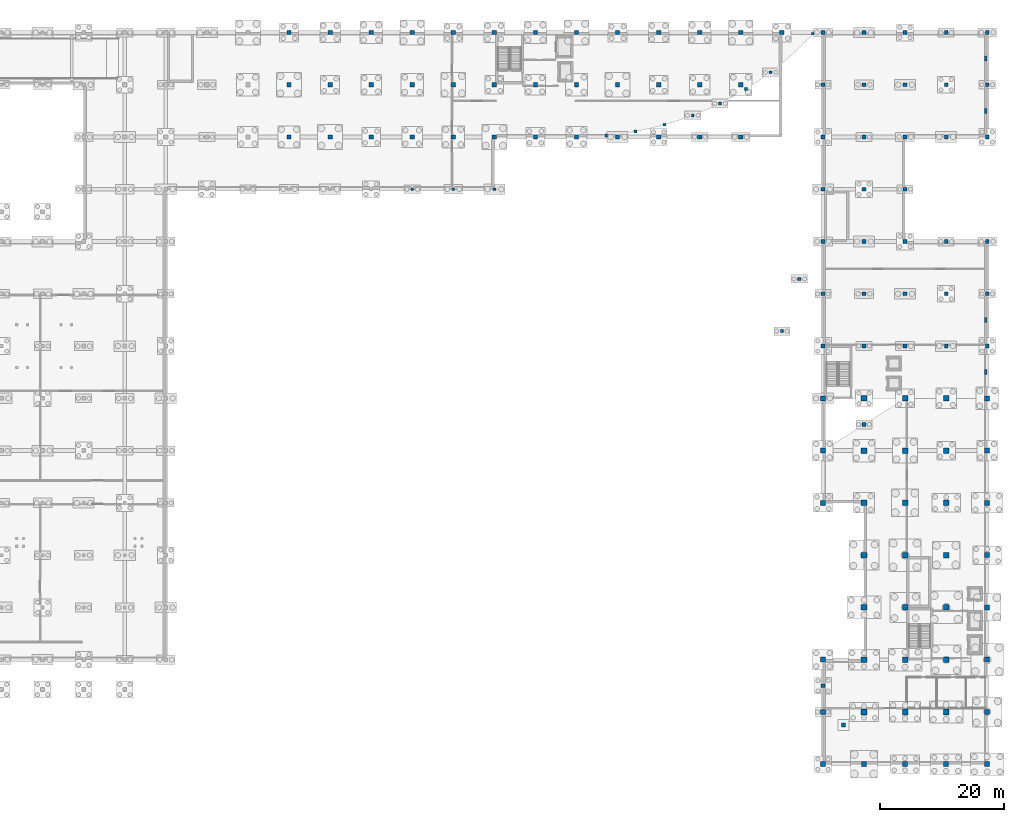
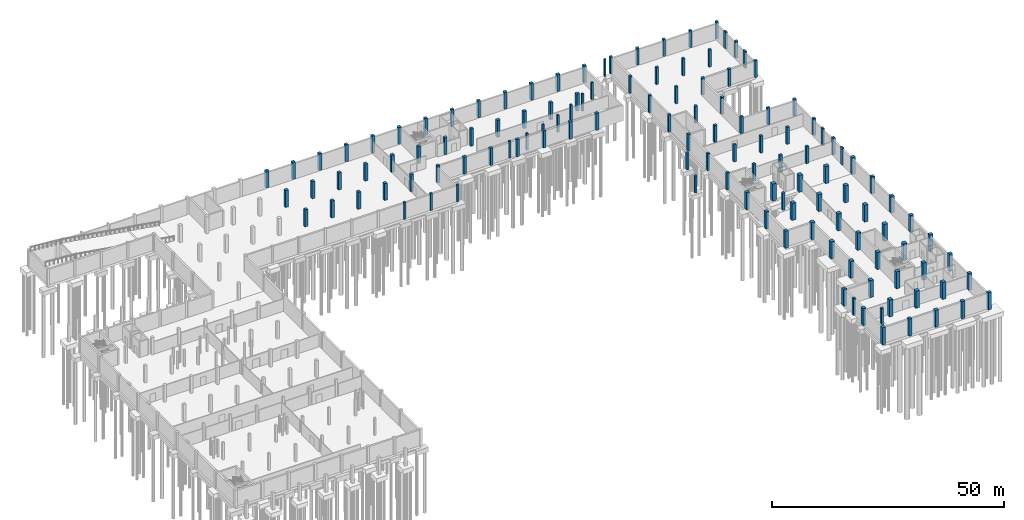
# One storey, part 11 of 25: 128 columns.
"""IFC4 building model written with IfcOpenShell, lengths in metres."""

import ifcopenshell
import ifcopenshell.guid

model = None  # the IFC model being written
_history = None  # IfcOwnerHistory: only IFC2X3 demands one
_inside = {}  # id of a spatial element -> (the spatial element, [elements in it])
_under = {}  # id of a project, library or spatial element -> (it, [spatial elements below it])
_declared = {}  # id of a project -> (the project, [libraries it declares])
_typed = {}  # id of a type object -> (the type object, [elements of that type])
_made_of = {}  # id of a material, layer set ... -> (it, [elements and type objects made of it])


def new_model(schema):
    """Start an empty IFC model of exactly this schema.

    Asked for "IFC4X3", IfcOpenShell would pick the latest addendum, in which some entities
    have other attributes; the version numbers below select the first issue.
    IFC2X3 requires an IfcOwnerHistory on every rooted entity: one is made here for all.
    """
    global model, _history
    if schema == "IFC4X3":
        model = ifcopenshell.file(schema_version=(4, 3, 0, 0))
    else:
        model = ifcopenshell.file(schema=schema)
    _inside.clear()
    _under.clear()
    _declared.clear()
    _typed.clear()
    _made_of.clear()
    _history = None
    if model.schema == "IFC2X3":
        org = make("IfcOrganization", Name="unknown")
        user = make(
            "IfcPersonAndOrganization",
            ThePerson=make("IfcPerson", FamilyName="unknown"),
            TheOrganization=org,
        )
        app = make(
            "IfcApplication",
            ApplicationDeveloper=org,
            Version="unknown",
            ApplicationFullName="unknown",
            ApplicationIdentifier="unknown",
        )
        _history = make(
            "IfcOwnerHistory",
            OwningUser=user,
            OwningApplication=app,
            ChangeAction="ADDED",
            CreationDate=0,
        )
    return model


def make(cls, **values):
    """One entity of the class cls with the attributes given. An attribute that is None is left unset."""
    return model.create_entity(
        cls, **{name: value for name, value in values.items() if value is not None}
    )


def rooted(cls, **values):
    """An entity with a GlobalId (a new one), such as an element, a storey or a relation."""
    return make(cls, GlobalId=ifcopenshell.guid.new(), OwnerHistory=_history, **values)


def si_unit(unit_type, name, prefix=None):
    """IfcSIUnit, for example si_unit("LENGTHUNIT", "METRE", prefix="MILLI")."""
    return make("IfcSIUnit", UnitType=unit_type, Prefix=prefix, Name=name)


def assignment(units):
    """IfcUnitAssignment: the units of a project."""
    return None if units is None else make("IfcUnitAssignment", Units=units)


def point(xyz):
    """IfcCartesianPoint."""
    return None if xyz is None else make("IfcCartesianPoint", Coordinates=xyz)


def direction(xyz):
    """IfcDirection."""
    return None if xyz is None else make("IfcDirection", DirectionRatios=xyz)


def frame(location, z_axis=None, x_axis=None):
    """IfcAxis2Placement3D, a coordinate frame: its origin and axes. An axis left out is left unset."""
    return make(
        "IfcAxis2Placement3D",
        Location=point(location),
        Axis=direction(z_axis),
        RefDirection=direction(x_axis),
    )


def frame_2d(location, x_axis=None):
    """IfcAxis2Placement2D, a coordinate frame in the plane: its origin and x axis."""
    return make(
        "IfcAxis2Placement2D", Location=point(location), RefDirection=direction(x_axis)
    )


def origin():
    """The frame at (0, 0, 0) with its axes left unset."""
    return frame((0.0, 0.0, 0.0))


def origin_2d():
    """The frame at (0, 0) in the plane with its x axis left unset."""
    return frame_2d((0.0, 0.0))


def place(relative_to, where):
    """IfcLocalPlacement: puts the frame where relative to a parent placement (None: the world)."""
    return make(
        "IfcLocalPlacement", PlacementRelTo=relative_to, RelativePlacement=where
    )


def context(
    kind, dimensions, precision=None, world=None, true_north=None, identifier=None
):
    """IfcGeometricRepresentationContext, for example the 3D "Model" context."""
    return make(
        "IfcGeometricRepresentationContext",
        ContextIdentifier=identifier,
        ContextType=kind,
        CoordinateSpaceDimension=dimensions,
        Precision=precision,
        WorldCoordinateSystem=world,
        TrueNorth=true_north,
    )


def subcontext(parent, identifier, kind, view, scale=None):
    """IfcGeometricRepresentationSubContext, for example "Body" below "Model"."""
    return make(
        "IfcGeometricRepresentationSubContext",
        ContextIdentifier=identifier,
        ContextType=kind,
        ParentContext=parent,
        TargetScale=scale,
        TargetView=view,
    )


def project(units=None, contexts=None):
    """IfcProject with its units and contexts."""
    return rooted(
        "IfcProject",
        Name="project",
        RepresentationContexts=contexts,
        UnitsInContext=assignment(units),
    )


def spatial(cls, under=None, at=None, **own):
    """A site, building, storey or space (cls), placed at a placement, below another one or the project."""
    s = rooted(cls, ObjectPlacement=at, **own)
    if under is not None:
        _under.setdefault(under.id(), (under, []))[1].append(s)
    return s


def profile(cls, at=None, kind="AREA", **sizes):
    """A parametric profile (cls). Its sizes go by their IFC names, for example OverallWidth=200.0."""
    return make(cls, ProfileType=kind, Position=at, **sizes)


def rectangle(**sizes):
    """IfcRectangleProfileDef."""
    return profile("IfcRectangleProfileDef", **sizes)


def extrude(swept, where, along, depth):
    """IfcExtrudedAreaSolid: the profile swept, set in the frame where, extruded along a direction by depth."""
    return make(
        "IfcExtrudedAreaSolid",
        SweptArea=swept,
        Position=where,
        ExtrudedDirection=direction(along),
        Depth=depth,
    )


def shape(context_of_items, identifier, shape_type, items):
    """IfcShapeRepresentation: the items that make up one representation, for example the "Body"."""
    return make(
        "IfcShapeRepresentation",
        ContextOfItems=context_of_items,
        RepresentationIdentifier=identifier,
        RepresentationType=shape_type,
        Items=items,
    )


def material(Name=None, Category=None):
    """IfcMaterial."""
    return make("IfcMaterial", Name=Name, Category=Category)


def material_profile(
    of_material, cross_section, Name=None, Category=None, Priority=None
):
    """IfcMaterialProfile: a cross section and its material."""
    return make(
        "IfcMaterialProfile",
        Name=Name,
        Material=of_material,
        Profile=cross_section,
        Priority=Priority,
        Category=Category,
    )


def profile_set(profiles, Name=None, composite=None):
    """IfcMaterialProfileSet."""
    return make(
        "IfcMaterialProfileSet",
        Name=Name,
        MaterialProfiles=profiles,
        CompositeProfile=composite,
    )


def made_of(thing, what):
    """Note that an element or type object is made of a material, layer set ...; save() writes the relation."""
    if what is not None:
        _made_of.setdefault(what.id(), (what, []))[1].append(thing)
    return thing


def type_object(cls, material=None, **own):
    """A type object (cls), such as IfcWallType, which elements share."""
    return made_of(rooted(cls, **own), material)


def element(
    cls,
    number,
    at=None,
    inside=None,
    cuts=None,
    type_object=None,
    material=None,
    context=None,
    identifier="Body",
    shape_type=None,
    held_by="IfcProductDefinitionShape",
    body=None,
    shapes=None,
    **own,
):
    """One element of the class cls, such as IfcWall. Its Tag is "e" and its number.

    at: its placement. inside: the storey or other place that contains it. cuts: it is an
    opening in that element (IfcRelVoidsElement). A single representation is given by context,
    identifier, shape_type and body (its items); several are given by shapes. held_by: the class
    of the entity that holds the representations. save() writes the other relations.
    """
    e = rooted(cls, Tag="e%d" % number, ObjectPlacement=at, **own)
    if body is not None:
        shapes = [shape(context, identifier, shape_type, body)]
    if shapes is not None:
        e.Representation = make(held_by, Representations=shapes)
    if inside is not None:
        _inside.setdefault(inside.id(), (inside, []))[1].append(e)
    if cuts is not None:
        rooted(
            "IfcRelVoidsElement", RelatingBuildingElement=cuts, RelatedOpeningElement=e
        )
    if type_object is not None:
        _typed.setdefault(type_object.id(), (type_object, []))[1].append(e)
    return made_of(e, material)


def aggregate(whole, parts):
    """IfcRelAggregates: a whole, such as a stair, and the parts it consists of."""
    return rooted("IfcRelAggregates", RelatingObject=whole, RelatedObjects=parts)


def save(model, path):
    """Write the relations noted so far, then the file.

    IfcRelAggregates (storeys below a building ...), IfcRelContainedInSpatialStructure (elements
    in a storey), IfcRelDefinesByType, IfcRelAssociatesMaterial and IfcRelDeclares: one each for
    every whole, place, type object, material and project.
    """
    for whole, parts in _under.values():
        aggregate(whole, parts)
    for where, things in _inside.values():
        rooted(
            "IfcRelContainedInSpatialStructure",
            RelatedElements=things,
            RelatingStructure=where,
        )
    for kind, things in _typed.values():
        rooted("IfcRelDefinesByType", RelatedObjects=things, RelatingType=kind)
    for what, things in _made_of.values():
        rooted("IfcRelAssociatesMaterial", RelatedObjects=things, RelatingMaterial=what)
    for by, libraries in _declared.values():
        rooted("IfcRelDeclares", RelatingContext=by, RelatedDefinitions=libraries)
    model.write(path)


model = new_model("IFC4")

# Units and contexts
model_context = context("Model", 3, precision=1e-05, world=origin(), true_north=direction((0.0, 1.0)))
body_context = subcontext(model_context, "Body", "Model", "MODEL_VIEW")
ifc_project = project(units=[si_unit("LENGTHUNIT", "METRE"), si_unit("AREAUNIT", "SQUARE_METRE"), si_unit("VOLUMEUNIT", "CUBIC_METRE"), si_unit("PLANEANGLEUNIT", "RADIAN"), si_unit("MASSUNIT", "GRAM", prefix="KILO")], contexts=[model_context])

# Site, building, storey
site_placement = place(None, origin())
site = spatial("IfcSite", under=ifc_project, at=site_placement, CompositionType="ELEMENT")
building_placement = place(site_placement, origin())
building = spatial("IfcBuilding", under=site, at=building_placement, Name="Qaldarim Faculty of Natural and Applied Sciences", CompositionType="ELEMENT")
storey_placement = place(building_placement, frame((0.0, 0.0, -4.5)))
storey = spatial("IfcBuildingStorey", under=building, at=storey_placement, Name="B01", CompositionType="ELEMENT", Elevation=-4.5)

# Columns
ifc_material_1 = material(Name="Concrete C40/50", Category="concrete")
ifc_material_profile_1 = material_profile(ifc_material_1, rectangle(XDim=0.449951171875, YDim=0.449951171875, at=origin_2d()), Name="RC-C450x450")
ifc_profile_set_1 = profile_set([ifc_material_profile_1], Name="Concrete C40/50")
column_type_1 = type_object("IfcColumnType", Name="Column-RC450x450", PredefinedType="COLUMN", material=ifc_profile_set_1)
for number, where, z_axis, x_axis, name in (
    (1, (85.800048828125, 92.39990234375, 0.0), (0.0, 0.0, 1.0), (1.0, 0.0, 0.0), "Column X14/Y12 B01"),
    (2, (92.39990234375, 92.39990234375, 0.0), (0.0, 0.0, 1.0), (1.0, 0.0, 0.0), "Column X15/Y12 B01"),
    (3, (99.0, 92.39990234375, 0.0), (0.0, 0.0, 1.0), (1.0, 0.0, 0.0), "Column X16/Y12 B01"),
    (4, (150.14990234375, 117.375, 0.0), (0.0, 0.0, 1.0), (1.0, 0.0, 0.0), "Special structural column V4-NE B01"),
    (5, (116.97509765625, 101.02001953125, 0.0), (0.0, 0.0, 1.0), (1.0, 0.0, 0.0), "Arched portal basement column 02"),
    (6, (121.705078125, 101.675048828125, 0.0), (0.0, 0.0, 1.0), (1.0, 0.0, 0.0), "Arched portal basement column 04"),
    (7, (126.360107421875, 102.764892578125, 0.0), (0.0, 0.0, 1.0), (1.0, 0.0, 0.0), "Arched portal basement column 06"),
    (8, (130.889892578125, 104.27490234375, 0.0), (0.0, 0.0, 1.0), (1.0, 0.0, 0.0), "Arched portal basement column 08"),
    (9, (135.264892578125, 106.195068359375, 0.0), (0.0, 0.0, 1.0), (1.0, 0.0, 0.0), "Arched portal basement column 10"),
    (10, (139.445068359375, 108.510009765625, 0.0), (0.0, 0.0, 1.0), (1.0, 0.0, 0.0), "Arched portal basement column 12"),
    (11, (143.39501953125, 111.195068359375, 0.0), (0.0, 0.0, 1.0), (1.0, 0.0, 0.0), "Arched portal basement column 14"),
):
    element("IfcColumn", number, at=place(storey_placement, frame(where, z_axis=z_axis, x_axis=x_axis)), inside=storey, type_object=column_type_1, Name=name, PredefinedType="COLUMN", context=body_context, shape_type="SweptSolid", body=[
        extrude(rectangle(XDim=0.449951171875, YDim=0.449951171875, at=origin_2d()), origin(), (0.0, 0.0, 1.0), 4.5),
    ])
ifc_material_2 = material(Name="Concrete C50/60", Category="concrete")
ifc_material_profile_2 = material_profile(ifc_material_2, rectangle(XDim=0.5, YDim=0.5, at=origin_2d()), Name="RC-C500x500")
ifc_profile_set_2 = profile_set([ifc_material_profile_2], Name="Concrete C50/60")
column_type_2 = type_object("IfcColumnType", Name="Column-RC500x500", PredefinedType="COLUMN", material=ifc_profile_set_2)
for number, where, z_axis, x_axis, name in (
    (12, (145.199951171875, 69.60009765625, 0.0), (0.0, 0.0, 1.0), (1.0, 0.0, 0.0), "Special structural column V3-PRW-S B01"),
    (13, (148.0, 78.0, 0.0), (0.0, 0.0, 1.0), (1.0, 0.0, 0.0), "Special structural column V3-PRW-N B01"),
):
    element("IfcColumn", number, at=place(storey_placement, frame(where, z_axis=z_axis, x_axis=x_axis)), inside=storey, type_object=column_type_2, Name=name, PredefinedType="COLUMN", context=body_context, shape_type="SweptSolid", body=[
        extrude(rectangle(XDim=0.5, YDim=0.5, at=origin_2d()), origin(), (0.0, 0.0, 1.0), 4.5),
    ])
ifc_material_profile_3 = material_profile(ifc_material_2, rectangle(XDim=0.60009765625, YDim=0.60009765625, at=origin_2d()), Name="RC-C600x600")
ifc_profile_set_3 = profile_set([ifc_material_profile_3], Name="Concrete C50/60")
column_type_3 = type_object("IfcColumnType", Name="Column-RC600x600", PredefinedType="COLUMN", material=ifc_profile_set_3)
for number, where, z_axis, x_axis, name in (
    (14, (151.800048828125, 67.199951171875, 0.0), (0.0, 0.0, 1.0), (1.0, 0.0, 0.0), "Column X24/Y09 B01"),
    (15, (151.800048828125, 75.60009765625, 0.0), (0.0, 0.0, 1.0), (1.0, 0.0, 0.0), "Column X24/Y10 B01"),
    (16, (151.800048828125, 84.0, 0.0), (0.0, 0.0, 1.0), (1.0, 0.0, 0.0), "Column X24/Y11 B01"),
    (17, (151.800048828125, 92.39990234375, 0.0), (0.0, 0.0, 1.0), (1.0, 0.0, 0.0), "Column X24/Y12 B01"),
    (18, (151.800048828125, 100.800048828125, 0.0), (0.0, 0.0, 1.0), (1.0, 0.0, 0.0), "Column X24/Y13 B01"),
    (19, (151.800048828125, 109.199951171875, 0.0), (0.0, 0.0, 1.0), (1.0, 0.0, 0.0), "Column X24/Y14 B01"),
    (20, (151.800048828125, 117.60009765625, 0.0), (0.0, 0.0, 1.0), (1.0, 0.0, 0.0), "Column X24/Y15 B01"),
    (21, (158.39990234375, 67.199951171875, 0.0), (0.0, 0.0, 1.0), (1.0, 0.0, 0.0), "Column X25/Y09 B01"),
    (22, (158.39990234375, 75.60009765625, 0.0), (0.0, 0.0, 1.0), (1.0, 0.0, 0.0), "Column X25/Y10 B01"),
    (23, (158.39990234375, 84.0, 0.0), (0.0, 0.0, 1.0), (1.0, 0.0, 0.0), "Column X25/Y11 B01"),
    (24, (158.39990234375, 92.39990234375, 0.0), (0.0, 0.0, 1.0), (1.0, 0.0, 0.0), "Column X25/Y12 B01"),
    (25, (158.39990234375, 100.800048828125, 0.0), (0.0, 0.0, 1.0), (1.0, 0.0, 0.0), "Column X25/Y13 B01"),
    (26, (158.39990234375, 109.199951171875, 0.0), (0.0, 0.0, 1.0), (1.0, 0.0, 0.0), "Column X25/Y14 B01"),
    (27, (158.39990234375, 117.60009765625, 0.0), (0.0, 0.0, 1.0), (1.0, 0.0, 0.0), "Column X25/Y15 B01"),
    (28, (165.0, 67.199951171875, 0.0), (0.0, 0.0, 1.0), (1.0, 0.0, 0.0), "Column X26/Y09 B01"),
    (29, (165.0, 75.60009765625, 0.0), (0.0, 0.0, 1.0), (1.0, 0.0, 0.0), "Column X26/Y10 B01"),
    (30, (165.0, 84.0, 0.0), (0.0, 0.0, 1.0), (1.0, 0.0, 0.0), "Column X26/Y11 B01"),
    (31, (165.0, 92.39990234375, 0.0), (0.0, 0.0, 1.0), (1.0, 0.0, 0.0), "Column X26/Y12 B01"),
    (32, (165.0, 100.800048828125, 0.0), (0.0, 0.0, 1.0), (1.0, 0.0, 0.0), "Column X26/Y13 B01"),
    (33, (165.0, 109.199951171875, 0.0), (0.0, 0.0, 1.0), (1.0, 0.0, 0.0), "Column X26/Y14 B01"),
    (34, (165.0, 117.60009765625, 0.0), (0.0, 0.0, 1.0), (1.0, 0.0, 0.0), "Column X26/Y15 B01"),
    (35, (171.60009765625, 67.199951171875, 0.0), (0.0, 0.0, 1.0), (1.0, 0.0, 0.0), "Column X27/Y09 B01"),
    (36, (171.60009765625, 75.60009765625, 0.0), (0.0, 0.0, 1.0), (1.0, 0.0, 0.0), "Column X27/Y10 B01"),
    (37, (171.60009765625, 84.0, 0.0), (0.0, 0.0, 1.0), (1.0, 0.0, 0.0), "Column X27/Y11 B01"),
    (38, (171.60009765625, 100.800048828125, 0.0), (0.0, 0.0, 1.0), (1.0, 0.0, 0.0), "Column X27/Y13 B01"),
    (39, (171.60009765625, 109.199951171875, 0.0), (0.0, 0.0, 1.0), (1.0, 0.0, 0.0), "Column X27/Y14 B01"),
    (40, (171.60009765625, 117.60009765625, 0.0), (0.0, 0.0, 1.0), (1.0, 0.0, 0.0), "Column X27/Y15 B01"),
    (41, (178.199951171875, 67.199951171875, 0.0), (0.0, 0.0, 1.0), (1.0, 0.0, 0.0), "Column X28/Y09 B01"),
    (42, (178.199951171875, 75.60009765625, 0.0), (0.0, 0.0, 1.0), (1.0, 0.0, 0.0), "Column X28/Y10 B01"),
    (43, (178.199951171875, 84.0, 0.0), (0.0, 0.0, 1.0), (1.0, 0.0, 0.0), "Column X28/Y11 B01"),
    (44, (178.199951171875, 100.800048828125, 0.0), (0.0, 0.0, 1.0), (1.0, 0.0, 0.0), "Column X28/Y13 B01"),
    (45, (178.199951171875, 109.199951171875, 0.0), (0.0, 0.0, 1.0), (1.0, 0.0, 0.0), "Column X28/Y14 B01"),
    (46, (178.199951171875, 117.60009765625, 0.0), (0.0, 0.0, 1.0), (1.0, 0.0, 0.0), "Column X28/Y15 B01"),
    (47, (151.800048828125, 12.60009765625, 0.0), (0.0, 0.0, 1.0), (1.0, 0.0, 0.0), "Special structural column V5-SW1 B01"),
    (48, (155.10009765625, 6.300048828125, 0.0), (0.0, 0.0, 1.0), (1.0, 0.0, 0.0), "Special structural column V5-SW2 B01"),
    (49, (158.39990234375, 54.60009765625, 0.0), (0.0, 0.0, 1.0), (1.0, 0.0, 0.0), "Special structural column V5-NW6 B01"),
):
    element("IfcColumn", number, at=place(storey_placement, frame(where, z_axis=z_axis, x_axis=x_axis)), inside=storey, type_object=column_type_3, Name=name, PredefinedType="COLUMN", context=body_context, shape_type="SweptSolid", body=[
        extrude(rectangle(XDim=0.60009765625, YDim=0.60009765625, at=origin_2d()), origin(), (0.0, 0.0, 1.0), 4.5),
    ])
ifc_material_profile_4 = material_profile(ifc_material_2, rectangle(XDim=0.699951171875, YDim=0.699951171875, at=origin_2d()), Name="RC-C700x700")
ifc_profile_set_4 = profile_set([ifc_material_profile_4], Name="Concrete C50/60")
column_type_4 = type_object("IfcColumnType", Name="Column-RC700x700", PredefinedType="COLUMN", material=ifc_profile_set_4)
for number, where, z_axis, x_axis, name in (
    (50, (66.0, 100.800048828125, 0.0), (0.0, 0.0, 1.0), (1.0, 0.0, 0.0), "Column X11/Y13 B01"),
    (51, (66.0, 109.199951171875, 0.0), (0.0, 0.0, 1.0), (1.0, 0.0, 0.0), "Column X11/Y14 B01"),
    (52, (66.0, 117.60009765625, 0.0), (0.0, 0.0, 1.0), (1.0, 0.0, 0.0), "Column X11/Y15 B01"),
    (53, (72.60009765625, 100.800048828125, 0.0), (0.0, 0.0, 1.0), (1.0, 0.0, 0.0), "Column X12/Y13 B01"),
    (54, (72.60009765625, 109.199951171875, 0.0), (0.0, 0.0, 1.0), (1.0, 0.0, 0.0), "Column X12/Y14 B01"),
    (55, (72.60009765625, 117.60009765625, 0.0), (0.0, 0.0, 1.0), (1.0, 0.0, 0.0), "Column X12/Y15 B01"),
    (56, (79.199951171875, 100.800048828125, 0.0), (0.0, 0.0, 1.0), (1.0, 0.0, 0.0), "Column X13/Y13 B01"),
    (57, (79.199951171875, 109.199951171875, 0.0), (0.0, 0.0, 1.0), (1.0, 0.0, 0.0), "Column X13/Y14 B01"),
    (58, (79.199951171875, 117.60009765625, 0.0), (0.0, 0.0, 1.0), (1.0, 0.0, 0.0), "Column X13/Y15 B01"),
    (59, (85.800048828125, 100.800048828125, 0.0), (0.0, 0.0, 1.0), (1.0, 0.0, 0.0), "Column X14/Y13 B01"),
    (60, (85.800048828125, 109.199951171875, 0.0), (0.0, 0.0, 1.0), (1.0, 0.0, 0.0), "Column X14/Y14 B01"),
    (61, (85.800048828125, 117.60009765625, 0.0), (0.0, 0.0, 1.0), (1.0, 0.0, 0.0), "Column X14/Y15 B01"),
    (62, (92.39990234375, 100.800048828125, 0.0), (0.0, 0.0, 1.0), (1.0, 0.0, 0.0), "Column X15/Y13 B01"),
    (63, (92.39990234375, 109.199951171875, 0.0), (0.0, 0.0, 1.0), (1.0, 0.0, 0.0), "Column X15/Y14 B01"),
    (64, (92.39990234375, 117.60009765625, 0.0), (0.0, 0.0, 1.0), (1.0, 0.0, 0.0), "Column X15/Y15 B01"),
    (65, (99.0, 100.800048828125, 0.0), (0.0, 0.0, 1.0), (1.0, 0.0, 0.0), "Column X16/Y13 B01"),
    (66, (99.0, 109.199951171875, 0.0), (0.0, 0.0, 1.0), (1.0, 0.0, 0.0), "Column X16/Y14 B01"),
    (67, (99.0, 117.60009765625, 0.0), (0.0, 0.0, 1.0), (1.0, 0.0, 0.0), "Column X16/Y15 B01"),
    (68, (105.60009765625, 100.800048828125, 0.0), (0.0, 0.0, 1.0), (1.0, 0.0, 0.0), "Column X17/Y13 B01"),
    (69, (105.60009765625, 109.199951171875, 0.0), (0.0, 0.0, 1.0), (1.0, 0.0, 0.0), "Column X17/Y14 B01"),
    (70, (105.60009765625, 117.60009765625, 0.0), (0.0, 0.0, 1.0), (1.0, 0.0, 0.0), "Column X17/Y15 B01"),
    (71, (112.199951171875, 100.800048828125, 0.0), (0.0, 0.0, 1.0), (1.0, 0.0, 0.0), "Column X18/Y13 B01"),
    (72, (112.199951171875, 109.199951171875, 0.0), (0.0, 0.0, 1.0), (1.0, 0.0, 0.0), "Column X18/Y14 B01"),
    (73, (112.199951171875, 117.60009765625, 0.0), (0.0, 0.0, 1.0), (1.0, 0.0, 0.0), "Column X18/Y15 B01"),
    (74, (118.800048828125, 100.800048828125, 0.0), (0.0, 0.0, 1.0), (1.0, 0.0, 0.0), "Column X19/Y13 B01"),
    (75, (118.800048828125, 109.199951171875, 0.0), (0.0, 0.0, 1.0), (1.0, 0.0, 0.0), "Column X19/Y14 B01"),
    (76, (118.800048828125, 117.60009765625, 0.0), (0.0, 0.0, 1.0), (1.0, 0.0, 0.0), "Column X19/Y15 B01"),
    (77, (125.39990234375, 100.800048828125, 0.0), (0.0, 0.0, 1.0), (1.0, 0.0, 0.0), "Column X20/Y13 B01"),
    (78, (125.39990234375, 109.199951171875, 0.0), (0.0, 0.0, 1.0), (1.0, 0.0, 0.0), "Column X20/Y14 B01"),
    (79, (125.39990234375, 117.60009765625, 0.0), (0.0, 0.0, 1.0), (1.0, 0.0, 0.0), "Column X20/Y15 B01"),
    (80, (132.0, 100.800048828125, 0.0), (0.0, 0.0, 1.0), (1.0, 0.0, 0.0), "Column X21/Y13 B01"),
    (81, (132.0, 109.199951171875, 0.0), (0.0, 0.0, 1.0), (1.0, 0.0, 0.0), "Column X21/Y14 B01"),
    (82, (132.0, 117.60009765625, 0.0), (0.0, 0.0, 1.0), (1.0, 0.0, 0.0), "Column X21/Y15 B01"),
    (83, (138.60009765625, 100.800048828125, 0.0), (0.0, 0.0, 1.0), (1.0, 0.0, 0.0), "Column X22/Y13 B01"),
    (84, (138.60009765625, 109.199951171875, 0.0), (0.0, 0.0, 1.0), (1.0, 0.0, 0.0), "Column X22/Y14 B01"),
    (85, (138.60009765625, 117.60009765625, 0.0), (0.0, 0.0, 1.0), (1.0, 0.0, 0.0), "Column X22/Y15 B01"),
    (86, (145.199951171875, 117.60009765625, 0.0), (0.0, 0.0, 1.0), (1.0, 0.0, 0.0), "Column X23/Y15 B01"),
):
    element("IfcColumn", number, at=place(storey_placement, frame(where, z_axis=z_axis, x_axis=x_axis)), inside=storey, type_object=column_type_4, Name=name, PredefinedType="COLUMN", context=body_context, shape_type="SweptSolid", body=[
        extrude(rectangle(XDim=0.699951171875, YDim=0.699951171875, at=origin_2d()), origin(), (0.0, 0.0, 1.0), 4.5),
    ])
ifc_material_profile_5 = material_profile(ifc_material_2, rectangle(XDim=0.800048828125, YDim=0.800048828125, at=origin_2d()), Name="RC-C800x800")
ifc_profile_set_5 = profile_set([ifc_material_profile_5], Name="Concrete C50/60")
column_type_5 = type_object("IfcColumnType", Name="Column-RC800x800", PredefinedType="COLUMN", material=ifc_profile_set_5)
for number, where, z_axis, x_axis, name in (
    (87, (151.800048828125, 0.0, 0.0), (0.0, 0.0, 1.0), (1.0, 0.0, 0.0), "Column X24/Y01 B01"),
    (88, (151.800048828125, 8.39990234375, 0.0), (0.0, 0.0, 1.0), (1.0, 0.0, 0.0), "Column X24/Y02 B01"),
    (89, (151.800048828125, 16.800048828125, 0.0), (0.0, 0.0, 1.0), (1.0, 0.0, 0.0), "Column X24/Y03 B01"),
    (90, (151.800048828125, 42.0, 0.0), (0.0, 0.0, 1.0), (1.0, 0.0, 0.0), "Column X24/Y06 B01"),
    (91, (151.800048828125, 50.39990234375, 0.0), (0.0, 0.0, 1.0), (1.0, 0.0, 0.0), "Column X24/Y07 B01"),
    (92, (151.800048828125, 58.800048828125, 0.0), (0.0, 0.0, 1.0), (1.0, 0.0, 0.0), "Column X24/Y08 B01"),
    (93, (158.39990234375, 0.0, 0.0), (0.0, 0.0, 1.0), (1.0, 0.0, 0.0), "Column X25/Y01 B01"),
    (94, (165.0, 0.0, 0.0), (0.0, 0.0, 1.0), (1.0, 0.0, 0.0), "Column X26/Y01 B01"),
    (95, (171.60009765625, 0.0, 0.0), (0.0, 0.0, 1.0), (1.0, 0.0, 0.0), "Column X27/Y01 B01"),
    (96, (178.199951171875, 0.0, 0.0), (0.0, 0.0, 1.0), (1.0, 0.0, 0.0), "Column X28/Y01 B01"),
    (97, (178.199951171875, 8.39990234375, 0.0), (0.0, 0.0, 1.0), (1.0, 0.0, 0.0), "Column X28/Y02 B01"),
    (98, (178.199951171875, 16.800048828125, 0.0), (0.0, 0.0, 1.0), (1.0, 0.0, 0.0), "Column X28/Y03 B01"),
    (99, (178.199951171875, 25.199951171875, 0.0), (0.0, 0.0, 1.0), (1.0, 0.0, 0.0), "Column X28/Y04 B01"),
    (100, (178.199951171875, 33.60009765625, 0.0), (0.0, 0.0, 1.0), (1.0, 0.0, 0.0), "Column X28/Y05 B01"),
    (101, (178.199951171875, 42.0, 0.0), (0.0, 0.0, 1.0), (1.0, 0.0, 0.0), "Column X28/Y06 B01"),
    (102, (178.199951171875, 50.39990234375, 0.0), (0.0, 0.0, 1.0), (1.0, 0.0, 0.0), "Column X28/Y07 B01"),
    (103, (178.199951171875, 58.800048828125, 0.0), (0.0, 0.0, 1.0), (1.0, 0.0, 0.0), "Column X28/Y08 B01"),
):
    element("IfcColumn", number, at=place(storey_placement, frame(where, z_axis=z_axis, x_axis=x_axis)), inside=storey, type_object=column_type_5, Name=name, PredefinedType="COLUMN", context=body_context, shape_type="SweptSolid", body=[
        extrude(rectangle(XDim=0.800048828125, YDim=0.800048828125, at=origin_2d()), origin(), (0.0, 0.0, 1.0), 4.5),
    ])
ifc_material_profile_6 = material_profile(ifc_material_2, rectangle(XDim=0.89990234375, YDim=0.89990234375, at=origin_2d()), Name="RC-C900x900")
ifc_profile_set_6 = profile_set([ifc_material_profile_6], Name="Concrete C50/60")
column_type_6 = type_object("IfcColumnType", Name="Column-RC900x900", PredefinedType="COLUMN", material=ifc_profile_set_6)
for number, where, z_axis, x_axis, name in (
    (104, (158.39990234375, 8.39990234375, 0.0), (0.0, 0.0, 1.0), (1.0, 0.0, 0.0), "Column X25/Y02 B01"),
    (105, (158.39990234375, 16.800048828125, 0.0), (0.0, 0.0, 1.0), (1.0, 0.0, 0.0), "Column X25/Y03 B01"),
    (106, (158.39990234375, 25.199951171875, 0.0), (0.0, 0.0, 1.0), (1.0, 0.0, 0.0), "Column X25/Y04 B01"),
    (107, (158.39990234375, 33.60009765625, 0.0), (0.0, 0.0, 1.0), (1.0, 0.0, 0.0), "Column X25/Y05 B01"),
    (108, (158.39990234375, 42.0, 0.0), (0.0, 0.0, 1.0), (1.0, 0.0, 0.0), "Column X25/Y06 B01"),
    (109, (158.39990234375, 50.39990234375, 0.0), (0.0, 0.0, 1.0), (1.0, 0.0, 0.0), "Column X25/Y07 B01"),
    (110, (158.39990234375, 58.800048828125, 0.0), (0.0, 0.0, 1.0), (1.0, 0.0, 0.0), "Column X25/Y08 B01"),
    (111, (165.0, 8.39990234375, 0.0), (0.0, 0.0, 1.0), (1.0, 0.0, 0.0), "Column X26/Y02 B01"),
    (112, (165.0, 16.800048828125, 0.0), (0.0, 0.0, 1.0), (1.0, 0.0, 0.0), "Column X26/Y03 B01"),
    (113, (165.0, 25.199951171875, 0.0), (0.0, 0.0, 1.0), (1.0, 0.0, 0.0), "Column X26/Y04 B01"),
    (114, (165.0, 33.60009765625, 0.0), (0.0, 0.0, 1.0), (1.0, 0.0, 0.0), "Column X26/Y05 B01"),
    (115, (165.0, 42.0, 0.0), (0.0, 0.0, 1.0), (1.0, 0.0, 0.0), "Column X26/Y06 B01"),
    (116, (165.0, 50.39990234375, 0.0), (0.0, 0.0, 1.0), (1.0, 0.0, 0.0), "Column X26/Y07 B01"),
    (117, (165.0, 58.800048828125, 0.0), (0.0, 0.0, 1.0), (1.0, 0.0, 0.0), "Column X26/Y08 B01"),
    (118, (171.60009765625, 8.39990234375, 0.0), (0.0, 0.0, 1.0), (1.0, 0.0, 0.0), "Column X27/Y02 B01"),
    (119, (171.60009765625, 16.800048828125, 0.0), (0.0, 0.0, 1.0), (1.0, 0.0, 0.0), "Column X27/Y03 B01"),
    (120, (171.60009765625, 25.199951171875, 0.0), (0.0, 0.0, 1.0), (1.0, 0.0, 0.0), "Column X27/Y04 B01"),
    (121, (171.60009765625, 33.60009765625, 0.0), (0.0, 0.0, 1.0), (1.0, 0.0, 0.0), "Column X27/Y05 B01"),
    (122, (171.60009765625, 42.0, 0.0), (0.0, 0.0, 1.0), (1.0, 0.0, 0.0), "Column X27/Y06 B01"),
    (123, (171.60009765625, 50.39990234375, 0.0), (0.0, 0.0, 1.0), (1.0, 0.0, 0.0), "Column X27/Y07 B01"),
    (124, (171.60009765625, 58.800048828125, 0.0), (0.0, 0.0, 1.0), (1.0, 0.0, 0.0), "Column X27/Y08 B01"),
):
    element("IfcColumn", number, at=place(storey_placement, frame(where, z_axis=z_axis, x_axis=x_axis)), inside=storey, type_object=column_type_6, Name=name, PredefinedType="COLUMN", context=body_context, shape_type="SweptSolid", body=[
        extrude(rectangle(XDim=0.89990234375, YDim=0.89990234375, at=origin_2d()), origin(), (0.0, 0.0, 1.0), 4.5),
    ])
ifc_material_profile_7 = material_profile(ifc_material_2, rectangle(XDim=0.449951171875, YDim=0.800048828125, at=origin_2d()), Name="RC-C450x800")
ifc_profile_set_7 = profile_set([ifc_material_profile_7], Name="Concrete C50/60")
column_type_7 = type_object("IfcColumnType", Name="Pilaster-RC450x800", PredefinedType="PILASTER", material=ifc_profile_set_7)
for number, where, z_axis, x_axis, name in (
    (125, (177.97509765625, 63.0, 0.0), (0.0, 0.0, 1.0), (1.0, 0.0, 0.0), "East facade pilaster B01 bay Y08"),
    (126, (177.97509765625, 71.39990234375, 0.0), (0.0, 0.0, 1.0), (1.0, 0.0, 0.0), "East facade pilaster B01 bay Y09"),
    (127, (177.97509765625, 105.0, 0.0), (0.0, 0.0, 1.0), (1.0, 0.0, 0.0), "East facade pilaster B01 bay Y13"),
    (128, (177.97509765625, 113.39990234375, 0.0), (0.0, 0.0, 1.0), (1.0, 0.0, 0.0), "East facade pilaster B01 bay Y14"),
):
    element("IfcColumn", number, at=place(storey_placement, frame(where, z_axis=z_axis, x_axis=x_axis)), inside=storey, type_object=column_type_7, Name=name, PredefinedType="PILASTER", context=body_context, shape_type="SweptSolid", body=[
        extrude(rectangle(XDim=0.449951171875, YDim=0.800048828125, at=origin_2d()), origin(), (0.0, 0.0, 1.0), 4.5),
    ])

save(model, "model.ifc")
